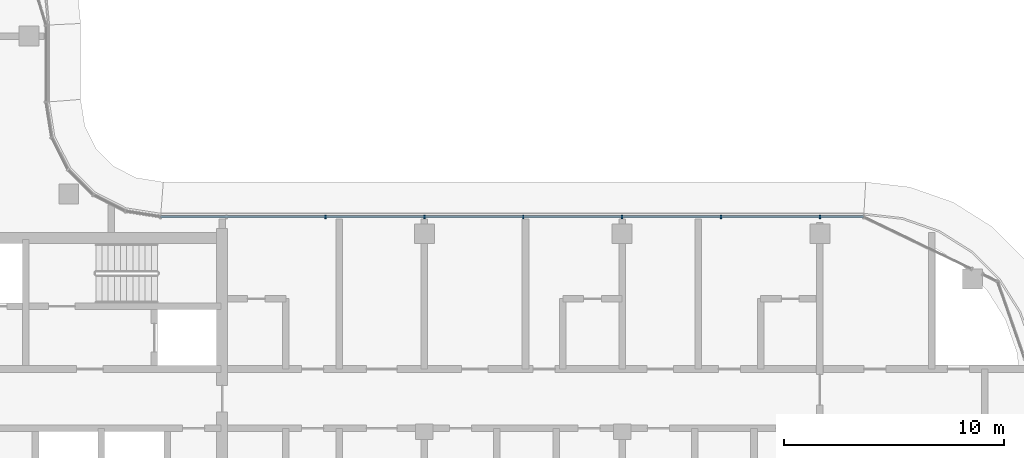
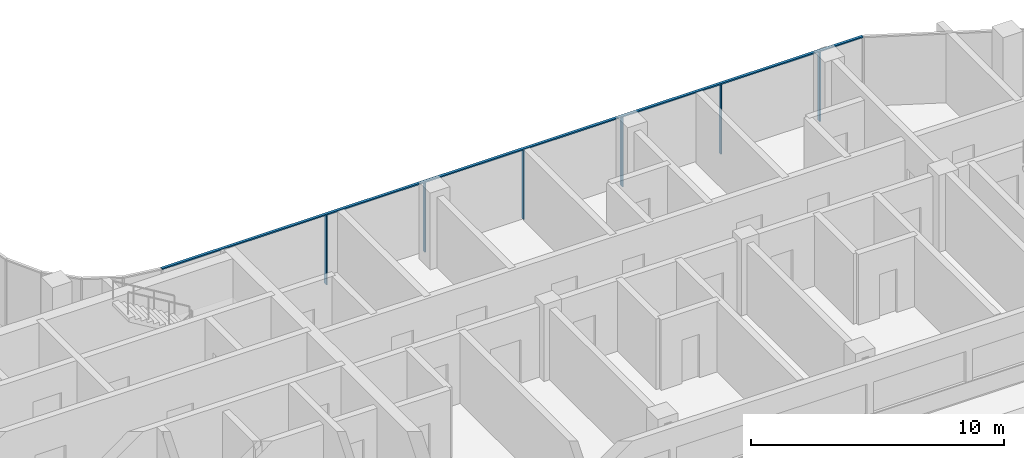
# One storey, part 4 of 22: 7 members, 1 element without a shape of its own.
"""IFC4 building model written with IfcOpenShell, lengths in metres."""

from ifc_helpers import new_model, si_unit, direction, frame, origin, origin_2d, place, context, subcontext, project, spatial, rectangle, extrude, material, material_profile, profile_set, type_object, element, aggregate, save


model = new_model("IFC4")

# Units and contexts
model_context = context("Model", 3, precision=1e-05, world=origin(), true_north=direction((0.0, 1.0)))
body_context = subcontext(model_context, "Body", "Model", "MODEL_VIEW")
ifc_project = project(units=[si_unit("LENGTHUNIT", "METRE"), si_unit("AREAUNIT", "SQUARE_METRE"), si_unit("VOLUMEUNIT", "CUBIC_METRE"), si_unit("PLANEANGLEUNIT", "RADIAN"), si_unit("MASSUNIT", "GRAM", prefix="KILO")], contexts=[model_context])

# Site, building, storey
site_placement = place(None, origin())
site = spatial("IfcSite", under=ifc_project, at=site_placement, CompositionType="ELEMENT")
building_placement = place(site_placement, origin())
building = spatial("IfcBuilding", under=site, at=building_placement, Name="Ogive Portal Towers", CompositionType="ELEMENT")
storey_placement = place(building_placement, frame((0.0, 0.0, 206.89990234375)))
storey = spatial("IfcBuildingStorey", under=building, at=storey_placement, Name="L51", CompositionType="ELEMENT", Elevation=206.89990234375)

# Curtain wall, members
ifc_material_1 = material(Name="Glass, clear low-iron insulated glazing", Category="glass")
curtain_wall_type = type_object("IfcCurtainWallType", Name="CW FRONT RIBBON 4500", PredefinedType="NOTDEFINED", material=ifc_material_1)
curtain_wall_placement = place(storey_placement, origin())
curtain_wall = element("IfcCurtainWall", 1, at=curtain_wall_placement, inside=storey, type_object=curtain_wall_type, Name="A:L51:f11:cw0", PredefinedType="NOTDEFINED")
ifc_material_2 = material(Name="Aluminium 6063 anodised", Category="aluminium")
ifc_material_profile_1 = material_profile(ifc_material_2, rectangle(XDim=0.159912109375, YDim=0.06005859375, at=origin_2d()), Name="AL 60x160")
ifc_profile_set_1 = profile_set([ifc_material_profile_1], Name="Aluminium 6063 anodised")
member_type_1 = type_object("IfcMemberType", Name="CW MULLION 60x160", PredefinedType="MULLION", material=ifc_profile_set_1)
member_1_placement = place(storey_placement, frame((85.5, 40.27490234375, 0.0), z_axis=(0.0, 0.0, 1.0), x_axis=(0.0, -1.0, 0.0)))
member_1 = element("IfcMember", 2, at=member_1_placement, type_object=member_type_1, Name="mullion", PredefinedType="MULLION", context=body_context, shape_type="SweptSolid", body=[
    extrude(rectangle(XDim=0.159912109375, YDim=0.06005859375, at=origin_2d()), origin(), (0.0, 0.0, 1.0), 3.340087890625),
])
member_2_placement = place(storey_placement, frame((81.0, 40.27490234375, 0.0), z_axis=(0.0, 0.0, 1.0), x_axis=(0.0, -1.0, 0.0)))
member_2 = element("IfcMember", 3, at=member_2_placement, type_object=member_type_1, Name="mullion", PredefinedType="MULLION", context=body_context, shape_type="SweptSolid", body=[
    extrude(rectangle(XDim=0.159912109375, YDim=0.06005859375, at=origin_2d()), origin(), (0.0, 0.0, 1.0), 3.340087890625),
])
member_3_placement = place(storey_placement, frame((76.5, 40.27490234375, 0.0), z_axis=(0.0, 0.0, 1.0), x_axis=(0.0, -1.0, 0.0)))
member_3 = element("IfcMember", 4, at=member_3_placement, type_object=member_type_1, Name="mullion", PredefinedType="MULLION", context=body_context, shape_type="SweptSolid", body=[
    extrude(rectangle(XDim=0.159912109375, YDim=0.06005859375, at=origin_2d()), origin(), (0.0, 0.0, 1.0), 3.340087890625),
])
member_4_placement = place(storey_placement, frame((72.0, 40.27490234375, 0.0), z_axis=(0.0, 0.0, 1.0), x_axis=(0.0, -1.0, 0.0)))
member_4 = element("IfcMember", 5, at=member_4_placement, type_object=member_type_1, Name="mullion", PredefinedType="MULLION", context=body_context, shape_type="SweptSolid", body=[
    extrude(rectangle(XDim=0.159912109375, YDim=0.06005859375, at=origin_2d()), origin(), (0.0, 0.0, 1.0), 3.340087890625),
])
member_5_placement = place(storey_placement, frame((67.5, 40.27490234375, 0.0), z_axis=(0.0, 0.0, 1.0), x_axis=(0.0, -1.0, 0.0)))
member_5 = element("IfcMember", 6, at=member_5_placement, type_object=member_type_1, Name="mullion", PredefinedType="MULLION", context=body_context, shape_type="SweptSolid", body=[
    extrude(rectangle(XDim=0.159912109375, YDim=0.06005859375, at=origin_2d()), origin(), (0.0, 0.0, 1.0), 3.340087890625),
])
member_6_placement = place(storey_placement, frame((63.0, 40.27490234375, 0.0), z_axis=(0.0, 0.0, 1.0), x_axis=(0.0, -1.0, 0.0)))
member_6 = element("IfcMember", 7, at=member_6_placement, type_object=member_type_1, Name="mullion", PredefinedType="MULLION", context=body_context, shape_type="SweptSolid", body=[
    extrude(rectangle(XDim=0.159912109375, YDim=0.06005859375, at=origin_2d()), origin(), (0.0, 0.0, 1.0), 3.340087890625),
])
ifc_material_profile_2 = material_profile(ifc_material_2, rectangle(XDim=0.1201171875, YDim=0.06005859375, at=origin_2d()), Name="AL 120x60")
ifc_profile_set_2 = profile_set([ifc_material_profile_2], Name="Aluminium 6063 anodised")
member_type_2 = type_object("IfcMemberType", Name="CW TRANSOM 60x120", PredefinedType="USERDEFINED", material=ifc_profile_set_2)
member_7_placement = place(storey_placement, frame((87.481689453125, 40.27490234375, 3.3701171875), z_axis=(-1.0, 0.0, 0.0), x_axis=(0.0, -1.0, 0.0)))
member_7 = element("IfcMember", 8, at=member_7_placement, type_object=member_type_2, Name="transom", ObjectType="TRANSOM", PredefinedType="USERDEFINED", context=body_context, shape_type="SweptSolid", body=[
    extrude(rectangle(XDim=0.1201171875, YDim=0.06005859375, at=origin_2d()), origin(), (0.0, 0.0, 1.0), 31.988037109375),
])
aggregate(curtain_wall, [member_7, member_1, member_2, member_3, member_4, member_5, member_6])

save(model, "model.ifc")
